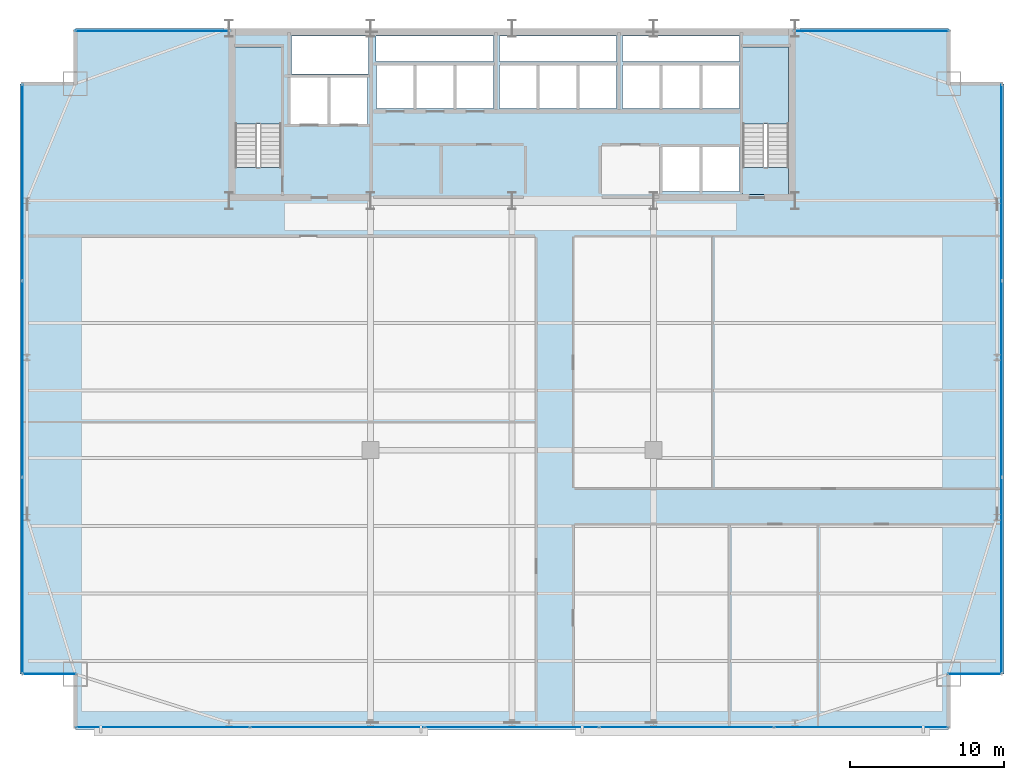
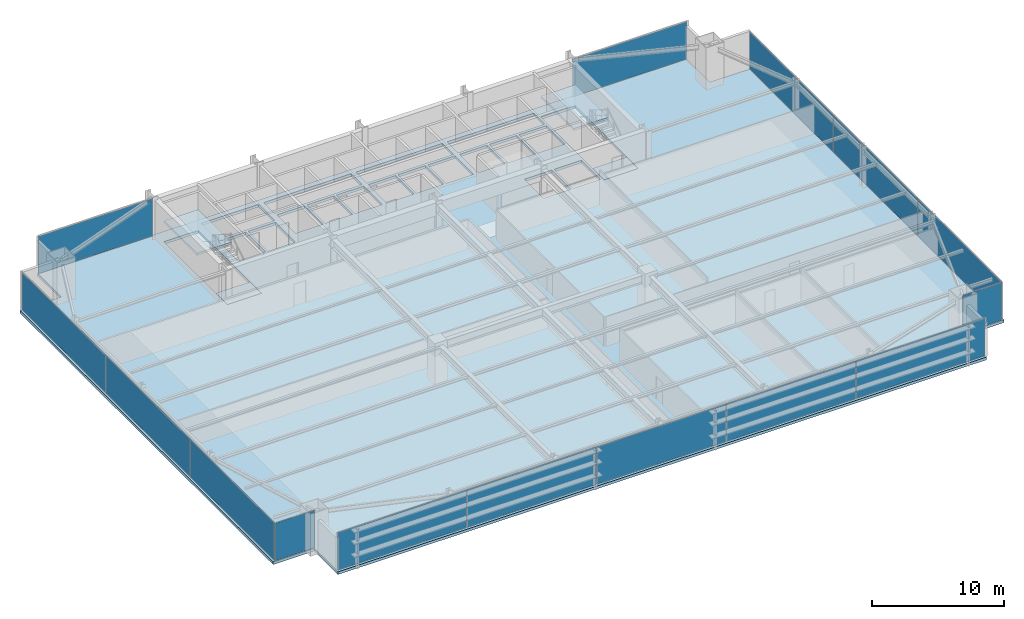
# One storey, part 25 of 32: 15 plates, 5 slabs, 9 elements without a shape of their own.
"""IFC4 building model written with IfcOpenShell, lengths in metres."""

from ifc_helpers import new_model, si_unit, direction, frame, origin, origin_2d, place, context, subcontext, project, spatial, polyline, rectangle, outline, extrude, source, transform, mapped, material, layer, layer_set, type_object, type_shapes, element, aggregate, save


model = new_model("IFC4")

# Units and contexts
model_context = context("Model", 3, precision=1e-05, world=origin(), true_north=direction((0.0, 1.0)))
body_context = subcontext(model_context, "Body", "Model", "MODEL_VIEW")
ifc_project = project(units=[si_unit("LENGTHUNIT", "METRE"), si_unit("AREAUNIT", "SQUARE_METRE"), si_unit("VOLUMEUNIT", "CUBIC_METRE"), si_unit("PLANEANGLEUNIT", "RADIAN"), si_unit("MASSUNIT", "GRAM", prefix="KILO")], contexts=[model_context])

# Site, building, storey
site_placement = place(None, origin())
site = spatial("IfcSite", under=ifc_project, at=site_placement, CompositionType="ELEMENT")
building_placement = place(site_placement, origin())
building = spatial("IfcBuilding", under=site, at=building_placement, Name="Varnel Quay Broadcast Tower", CompositionType="ELEMENT")
storey_placement = place(building_placement, frame((0.0, 0.0, 78.300048828125)))
storey = spatial("IfcBuildingStorey", under=building, at=storey_placement, Name="L18", CompositionType="ELEMENT", Elevation=78.300048828125)

# Slabs
ifc_material_1 = material(Name="Concrete CSA A23.3 C50/60", Category="concrete")
ifc_layer_1 = layer(ifc_material_1, 0.25, Name="Concrete CSA A23.3 C50/60")
ifc_layer_set_1 = layer_set([ifc_layer_1], Name="Concrete CSA A23.3 C50/60")
slab_type_1 = type_object("IfcSlabType", Name="Slab_Floor250", PredefinedType="FLOOR", material=ifc_layer_set_1)
slab_1_placement = place(storey_placement, frame((0.0, 0.0, -0.25)))
element("IfcSlab", 1, at=slab_1_placement, inside=storey, type_object=slab_type_1, Name="L18 Structural Slab", PredefinedType="FLOOR", context=body_context, shape_type="SweptSolid", body=[
    extrude(outline(polyline([(5.60009765625, 1.199951171875), (62.39990234375, 1.199951171875), (62.39990234375, 4.800048828125), (66.0, 4.800048828125), (66.0, 43.199951171875), (62.39990234375, 43.199951171875), (62.39990234375, 46.800048828125), (5.60009765625, 46.800048828125), (5.60009765625, 43.199951171875), (2.0, 43.199951171875), (2.0, 4.800048828125), (5.60009765625, 4.800048828125), (5.60009765625, 1.199951171875)]), holes=[polyline([(16.0, 36.0), (16.0, 45.60009765625), (19.0, 45.60009765625), (19.0, 36.0), (16.0, 36.0)]), polyline([(19.60009765625, 43.60009765625), (22.0, 43.60009765625), (22.0, 40.60009765625), (19.60009765625, 40.60009765625), (19.60009765625, 43.60009765625)]), polyline([(22.199951171875, 43.60009765625), (24.60009765625, 43.60009765625), (24.60009765625, 40.60009765625), (22.199951171875, 40.60009765625), (22.199951171875, 43.60009765625)]), polyline([(25.199951171875, 44.39990234375), (27.60009765625, 44.39990234375), (27.60009765625, 41.60009765625), (25.199951171875, 41.60009765625), (25.199951171875, 44.39990234375)]), polyline([(27.800048828125, 44.39990234375), (30.199951171875, 44.39990234375), (30.199951171875, 41.60009765625), (27.800048828125, 41.60009765625), (27.800048828125, 44.39990234375)]), polyline([(30.39990234375, 44.39990234375), (32.800048828125, 44.39990234375), (32.800048828125, 41.60009765625), (30.39990234375, 41.60009765625), (30.39990234375, 44.39990234375)]), polyline([(33.199951171875, 44.39990234375), (35.60009765625, 44.39990234375), (35.60009765625, 41.60009765625), (33.199951171875, 41.60009765625), (33.199951171875, 44.39990234375)]), polyline([(38.199951171875, 44.39990234375), (38.199951171875, 41.60009765625), (35.800048828125, 41.60009765625), (35.800048828125, 44.39990234375), (38.199951171875, 44.39990234375)]), polyline([(24.679931640625, 46.300048828125), (24.679931640625, 43.85009765625), (19.64990234375, 43.85009765625), (19.64990234375, 46.300048828125), (24.679931640625, 46.300048828125)]), polyline([(25.14990234375, 46.300048828125), (32.800048828125, 46.300048828125), (32.800048828125, 44.64990234375), (25.14990234375, 44.64990234375), (25.14990234375, 46.300048828125)]), polyline([(43.800048828125, 39.10009765625), (46.199951171875, 39.10009765625), (46.199951171875, 36.199951171875), (43.800048828125, 36.199951171875), (43.800048828125, 39.10009765625)]), polyline([(46.39990234375, 39.10009765625), (48.800048828125, 39.10009765625), (48.800048828125, 36.199951171875), (46.39990234375, 36.199951171875), (46.39990234375, 39.10009765625)]), polyline([(49.0, 45.60009765625), (52.0, 45.60009765625), (52.0, 36.0), (49.0, 36.0), (49.0, 45.60009765625)]), polyline([(40.800048828125, 44.39990234375), (40.800048828125, 41.60009765625), (38.39990234375, 41.60009765625), (38.39990234375, 44.39990234375), (40.800048828125, 44.39990234375)]), polyline([(41.199951171875, 44.39990234375), (43.60009765625, 44.39990234375), (43.60009765625, 41.60009765625), (41.199951171875, 41.60009765625), (41.199951171875, 44.39990234375)]), polyline([(43.800048828125, 44.39990234375), (46.199951171875, 44.39990234375), (46.199951171875, 41.60009765625), (43.800048828125, 41.60009765625), (43.800048828125, 44.39990234375)]), polyline([(46.39990234375, 44.39990234375), (48.800048828125, 44.39990234375), (48.800048828125, 41.60009765625), (46.39990234375, 41.60009765625), (46.39990234375, 44.39990234375)]), polyline([(40.800048828125, 46.300048828125), (40.800048828125, 44.64990234375), (33.199951171875, 44.64990234375), (33.199951171875, 46.300048828125), (40.800048828125, 46.300048828125)]), polyline([(48.800048828125, 46.300048828125), (48.800048828125, 44.64990234375), (41.199951171875, 44.64990234375), (41.199951171875, 46.300048828125), (48.800048828125, 46.300048828125)])]), origin(), (0.0, 0.0, 1.0), 0.25),
])
ifc_layer_2 = layer(ifc_material_1, 0.25, Name="Concrete CSA A23.3 C50/60")
ifc_layer_set_2 = layer_set([ifc_layer_2], Name="Concrete CSA A23.3 C50/60")
slab_type_2 = type_object("IfcSlabType", Name="Slab_StairFloorLanding250", PredefinedType="FLOOR", material=ifc_layer_set_2)
slab_2_placement = place(storey_placement, frame((0.0, 0.0, -0.25)))
element("IfcSlab", 2, at=slab_2_placement, inside=storey, type_object=slab_type_2, Name="L18 ST-01 Structural Floor Landing Slab", PredefinedType="FLOOR", context=body_context, shape_type="SweptSolid", body=[
    extrude(outline(polyline([(19.0, 36.0), (19.0, 37.75), (16.0, 37.75), (16.0, 36.0), (19.0, 36.0)])), origin(), (0.0, 0.0, 1.0), 0.25),
])
slab_3_placement = place(storey_placement, frame((0.0, 0.0, -0.25)))
element("IfcSlab", 3, at=slab_3_placement, inside=storey, type_object=slab_type_2, Name="L18 ST-02 Structural Floor Landing Slab", PredefinedType="FLOOR", context=body_context, shape_type="SweptSolid", body=[
    extrude(outline(polyline([(52.0, 36.0), (52.0, 37.75), (49.0, 37.75), (49.0, 36.0), (52.0, 36.0)])), origin(), (0.0, 0.0, 1.0), 0.25),
])

# Stair, slab
ifc_material_2 = material(Name="Precast Structural Concrete C40/50", Category="concrete")
stair_type_1 = type_object("IfcStairType", Name="Stair_ST-01", PredefinedType="HALF_TURN_STAIR", material=ifc_material_2)
stair_1_placement = place(storey_placement, origin())
stair_1 = element("IfcStair", 4, at=stair_1_placement, inside=storey, type_object=stair_type_1, Name="L18 West Core Exit Stair 1", PredefinedType="HALF_TURN_STAIR")
ifc_layer_3 = layer(ifc_material_2, 0.199951171875, Name="Precast Structural Concrete C40/50")
ifc_layer_set_3 = layer_set([ifc_layer_3], Name="Precast Structural Concrete C40/50")
slab_type_3 = type_object("IfcSlabType", Name="Slab_StairLanding200", PredefinedType="LANDING", material=ifc_layer_set_3)
slab_4_placement = place(storey_placement, frame((0.0, 0.0, 1.75)))
slab_4 = element("IfcSlab", 5, at=slab_4_placement, type_object=slab_type_3, Name="ST-01 landing 1", PredefinedType="LANDING", context=body_context, shape_type="SweptSolid", body=[
    extrude(outline(polyline([(19.0, 40.60009765625), (19.0, 45.60009765625), (16.0, 45.60009765625), (16.0, 40.60009765625), (19.0, 40.60009765625)])), origin(), (0.0, 0.0, 1.0), 0.199951171875),
])
aggregate(stair_1, [slab_4])

stair_type_2 = type_object("IfcStairType", Name="Stair_ST-02", PredefinedType="HALF_TURN_STAIR", material=ifc_material_2)
stair_2_placement = place(storey_placement, origin())
stair_2 = element("IfcStair", 6, at=stair_2_placement, inside=storey, type_object=stair_type_2, Name="L18 East Core Exit Stair 2", PredefinedType="HALF_TURN_STAIR")
slab_5_placement = place(storey_placement, frame((0.0, 0.0, 1.75)))
slab_5 = element("IfcSlab", 7, at=slab_5_placement, type_object=slab_type_3, Name="ST-02 landing 1", PredefinedType="LANDING", context=body_context, shape_type="SweptSolid", body=[
    extrude(outline(polyline([(52.0, 40.60009765625), (52.0, 45.60009765625), (49.0, 45.60009765625), (49.0, 40.60009765625), (52.0, 40.60009765625)])), origin(), (0.0, 0.0, 1.0), 0.199951171875),
])
aggregate(stair_2, [slab_5])

# Curtain wall, plates
ifc_material_3 = material(Name="Anodised Bronze Aluminium 6063-T6", Category="aluminium")
ifc_layer_4 = layer(ifc_material_3, 0.18994140625, Name="Anodised Bronze Aluminium 6063-T6")
ifc_layer_set_4 = layer_set([ifc_layer_4], Name="Anodised Bronze Aluminium 6063-T6")
curtain_wall_type_1 = type_object("IfcCurtainWallType", Name="CW_LowerTower", PredefinedType="NOTDEFINED", material=ifc_layer_set_4)
curtain_wall_1_placement = place(storey_placement, origin())
curtain_wall_1 = element("IfcCurtainWall", 8, at=curtain_wall_1_placement, inside=storey, type_object=curtain_wall_type_1, Name="L18 South Unitised Curtain Wall 1", PredefinedType="NOTDEFINED")
ifc_material_4 = material(Name="Triple-Glazed Bronze Low-E Architectural Glass", Category="glass")
ifc_layer_5 = layer(ifc_material_4, 0.031982421875, Name="Triple-Glazed Bronze Low-E Architectural Glass")
ifc_layer_set_5 = layer_set([ifc_layer_5], Name="Triple-Glazed Bronze Low-E Architectural Glass")
plate_type_1 = type_object("IfcPlateType", Name="Panel_CWS-02", PredefinedType="CURTAIN_PANEL", material=ifc_layer_set_5)
shared_shape_1 = source(origin(), body_context, "Body", "SweptSolid", [
    extrude(rectangle(XDim=11.2548828125, YDim=0.031982421875, at=origin_2d()), origin(), (0.0, 0.0, 1.0), 3.4599609375),
])
plate_1_placement = place(storey_placement, frame((11.297607421875, 1.35009765625, 0.06005859375), z_axis=(0.0, 0.0, 1.0), x_axis=(1.0, 0.0, 0.0)))
plate_1 = element("IfcPlate", 9, at=plate_1_placement, type_object=plate_type_1, Name="CWS-02 panel 1.1", PredefinedType="CURTAIN_PANEL", context=body_context, shape_type="MappedRepresentation", body=[
    mapped(shared_shape_1, transform((0.0, 0.0, 0.0), x_axis=(1.0, 0.0, 0.0), y_axis=(0.0, 1.0, 0.0), z_axis=(0.0, 0.0, 1.0), scale=1.0)),
])
plate_2_placement = place(storey_placement, frame((56.702392578125, 1.35009765625, 0.06005859375), z_axis=(0.0, 0.0, 1.0), x_axis=(1.0, 0.0, 0.0)))
plate_2 = element("IfcPlate", 10, at=plate_2_placement, type_object=plate_type_1, Name="CWS-02 panel 5.1", PredefinedType="CURTAIN_PANEL", context=body_context, shape_type="MappedRepresentation", body=[
    mapped(shared_shape_1, transform((0.0, 0.0, 0.0), x_axis=(1.0, 0.0, 0.0), y_axis=(0.0, 1.0, 0.0), z_axis=(0.0, 0.0, 1.0), scale=1.0)),
])
ifc_material_5 = material(Name="Insulated Bronze Spandrel Glass", Category="glass")
ifc_layer_6 = layer(ifc_material_5, 0.031982421875, Name="Insulated Bronze Spandrel Glass")
ifc_layer_set_6 = layer_set([ifc_layer_6], Name="Insulated Bronze Spandrel Glass")
plate_type_2 = type_object("IfcPlateType", Name="PanelSp_CWS-02", PredefinedType="CURTAIN_PANEL", material=ifc_layer_set_6)
shared_shape_2 = source(origin(), body_context, "Body", "SweptSolid", [
    extrude(rectangle(XDim=11.2900390625, YDim=0.031982421875, at=origin_2d()), origin(), (0.0, 0.0, 1.0), 3.4599609375),
])
plate_3_placement = place(storey_placement, frame((22.639892578125, 1.35009765625, 0.06005859375), z_axis=(0.0, 0.0, 1.0), x_axis=(1.0, 0.0, 0.0)))
plate_3 = element("IfcPlate", 11, at=plate_3_placement, type_object=plate_type_2, Name="CWS-02 panel 2.1", PredefinedType="CURTAIN_PANEL", context=body_context, shape_type="MappedRepresentation", body=[
    mapped(shared_shape_2, transform((0.0, 0.0, 0.0), x_axis=(1.0, 0.0, 0.0), y_axis=(0.0, 1.0, 0.0), z_axis=(0.0, 0.0, 1.0), scale=1.0)),
])
plate_4_placement = place(storey_placement, frame((34.0, 1.35009765625, 0.06005859375), z_axis=(0.0, 0.0, 1.0), x_axis=(1.0, 0.0, 0.0)))
plate_4 = element("IfcPlate", 12, at=plate_4_placement, type_object=plate_type_2, Name="CWS-02 panel 3.1", PredefinedType="CURTAIN_PANEL", context=body_context, shape_type="MappedRepresentation", body=[
    mapped(shared_shape_2, transform((0.0, 0.0, 0.0), x_axis=(1.0, 0.0, 0.0), y_axis=(0.0, 1.0, 0.0), z_axis=(0.0, 0.0, 1.0), scale=1.0)),
])
plate_5_placement = place(storey_placement, frame((45.360107421875, 1.35009765625, 0.06005859375), z_axis=(0.0, 0.0, 1.0), x_axis=(1.0, 0.0, 0.0)))
plate_5 = element("IfcPlate", 13, at=plate_5_placement, type_object=plate_type_2, Name="CWS-02 panel 4.1", PredefinedType="CURTAIN_PANEL", context=body_context, shape_type="MappedRepresentation", body=[
    mapped(shared_shape_2, transform((0.0, 0.0, 0.0), x_axis=(1.0, 0.0, 0.0), y_axis=(0.0, 1.0, 0.0), z_axis=(0.0, 0.0, 1.0), scale=1.0)),
])
aggregate(curtain_wall_1, [plate_1, plate_3, plate_4, plate_5, plate_2])

curtain_wall_2_placement = place(storey_placement, origin())
curtain_wall_2 = element("IfcCurtainWall", 14, at=curtain_wall_2_placement, inside=storey, type_object=curtain_wall_type_1, Name="L18 West Unitised Curtain Wall", PredefinedType="NOTDEFINED")
shared_shape_3 = source(origin(), body_context, "Body", "SweptSolid", [
    extrude(rectangle(XDim=12.695068359375, YDim=0.031982421875, at=origin_2d()), origin(), (0.0, 0.0, 1.0), 3.4599609375),
])
plate_6_placement = place(storey_placement, frame((2.14990234375, 11.217529296875, 0.06005859375), z_axis=(0.0, 0.0, 1.0), x_axis=(0.0, 1.0, 0.0)))
plate_6 = element("IfcPlate", 15, at=plate_6_placement, type_object=plate_type_2, Name="CWS-02 panel 1.1", PredefinedType="CURTAIN_PANEL", context=body_context, shape_type="MappedRepresentation", body=[
    mapped(shared_shape_3, transform((0.0, 0.0, 0.0), x_axis=(1.0, 0.0, 0.0), y_axis=(0.0, 1.0, 0.0), z_axis=(0.0, 0.0, 1.0), scale=1.0)),
])
plate_7_placement = place(storey_placement, frame((2.14990234375, 36.782470703125, 0.06005859375), z_axis=(0.0, 0.0, 1.0), x_axis=(0.0, 1.0, 0.0)))
plate_7 = element("IfcPlate", 16, at=plate_7_placement, type_object=plate_type_2, Name="CWS-02 panel 3.1", PredefinedType="CURTAIN_PANEL", context=body_context, shape_type="MappedRepresentation", body=[
    mapped(shared_shape_3, transform((0.0, 0.0, 0.0), x_axis=(1.0, 0.0, 0.0), y_axis=(0.0, 1.0, 0.0), z_axis=(0.0, 0.0, 1.0), scale=1.0)),
])

curtain_wall_3_placement = place(storey_placement, origin())
curtain_wall_3 = element("IfcCurtainWall", 17, at=curtain_wall_3_placement, inside=storey, type_object=curtain_wall_type_1, Name="L18 East Unitised Curtain Wall", PredefinedType="NOTDEFINED")
plate_8_placement = place(storey_placement, frame((65.85009765625, 11.217529296875, 0.06005859375), z_axis=(0.0, 0.0, 1.0), x_axis=(0.0, 1.0, 0.0)))
plate_8 = element("IfcPlate", 18, at=plate_8_placement, type_object=plate_type_2, Name="CWS-02 panel 1.1", PredefinedType="CURTAIN_PANEL", context=body_context, shape_type="MappedRepresentation", body=[
    mapped(shared_shape_3, transform((0.0, 0.0, 0.0), x_axis=(1.0, 0.0, 0.0), y_axis=(0.0, 1.0, 0.0), z_axis=(0.0, 0.0, 1.0), scale=1.0)),
])
plate_9_placement = place(storey_placement, frame((65.85009765625, 36.782470703125, 0.06005859375), z_axis=(0.0, 0.0, 1.0), x_axis=(0.0, 1.0, 0.0)))
plate_9 = element("IfcPlate", 19, at=plate_9_placement, type_object=plate_type_2, Name="CWS-02 panel 3.1", PredefinedType="CURTAIN_PANEL", context=body_context, shape_type="MappedRepresentation", body=[
    mapped(shared_shape_3, transform((0.0, 0.0, 0.0), x_axis=(1.0, 0.0, 0.0), y_axis=(0.0, 1.0, 0.0), z_axis=(0.0, 0.0, 1.0), scale=1.0)),
])

# Plate
shared_shape_4 = source(origin(), body_context, "Body", "SweptSolid", [
    extrude(rectangle(XDim=12.72998046875, YDim=0.031982421875, at=origin_2d()), origin(), (0.0, 0.0, 1.0), 3.4599609375),
])
type_shapes(plate_type_2, [shared_shape_2, shared_shape_3, shared_shape_4])
plate_10_placement = place(storey_placement, frame((2.14990234375, 24.0, 0.06005859375), z_axis=(0.0, 0.0, 1.0), x_axis=(0.0, 1.0, 0.0)))
plate_10 = element("IfcPlate", 20, at=plate_10_placement, type_object=plate_type_2, Name="CWS-02 panel 2.1", PredefinedType="CURTAIN_PANEL", context=body_context, shape_type="MappedRepresentation", body=[
    mapped(shared_shape_4, transform((0.0, 0.0, 0.0), x_axis=(1.0, 0.0, 0.0), y_axis=(0.0, 1.0, 0.0), z_axis=(0.0, 0.0, 1.0), scale=1.0)),
])

aggregate(curtain_wall_2, [plate_6, plate_10, plate_7])

plate_11_placement = place(storey_placement, frame((65.85009765625, 24.0, 0.06005859375), z_axis=(0.0, 0.0, 1.0), x_axis=(0.0, 1.0, 0.0)))
plate_11 = element("IfcPlate", 21, at=plate_11_placement, type_object=plate_type_2, Name="CWS-02 panel 2.1", PredefinedType="CURTAIN_PANEL", context=body_context, shape_type="MappedRepresentation", body=[
    mapped(shared_shape_4, transform((0.0, 0.0, 0.0), x_axis=(1.0, 0.0, 0.0), y_axis=(0.0, 1.0, 0.0), z_axis=(0.0, 0.0, 1.0), scale=1.0)),
])

aggregate(curtain_wall_3, [plate_8, plate_11, plate_9])

# Curtain wall, plate
ifc_layer_7 = layer(ifc_material_3, 0.18994140625, Name="Anodised Bronze Aluminium 6063-T6")
ifc_layer_set_7 = layer_set([ifc_layer_7], Name="Anodised Bronze Aluminium 6063-T6")
curtain_wall_type_2 = type_object("IfcCurtainWallType", Name="CW_NotchCorner", PredefinedType="NOTDEFINED", material=ifc_layer_set_7)
curtain_wall_4_placement = place(storey_placement, origin())
curtain_wall_4 = element("IfcCurtainWall", 22, at=curtain_wall_4_placement, inside=storey, type_object=curtain_wall_type_2, Name="L18 SW Notch Curtain Wall", PredefinedType="NOTDEFINED")
ifc_layer_8 = layer(ifc_material_4, 0.028076171875, Name="Triple-Glazed Bronze Low-E Architectural Glass")
ifc_layer_set_8 = layer_set([ifc_layer_8], Name="Triple-Glazed Bronze Low-E Architectural Glass")
plate_type_3 = type_object("IfcPlateType", Name="Panel_CWS-04", PredefinedType="CURTAIN_PANEL", material=ifc_layer_set_8)
shared_shape_5 = source(origin(), body_context, "Body", "SweptSolid", [
    extrude(rectangle(XDim=3.409912109375, YDim=0.028076171875, at=origin_2d()), origin(), (0.0, 0.0, 1.0), 3.469970703125),
])
type_shapes(plate_type_3, [shared_shape_5])
plate_12_placement = place(storey_placement, frame((3.9150390625, 4.800048828125, 0.05517578125), z_axis=(0.0, 0.0, 1.0), x_axis=(1.0, 0.0, 0.0)))
plate_12 = element("IfcPlate", 23, at=plate_12_placement, type_object=plate_type_3, Name="CWS-04 panel 1.1", PredefinedType="CURTAIN_PANEL", context=body_context, shape_type="MappedRepresentation", body=[
    mapped(shared_shape_5, transform((0.0, 0.0, 0.0), x_axis=(1.0, 0.0, 0.0), y_axis=(0.0, 1.0, 0.0), z_axis=(0.0, 0.0, 1.0), scale=1.0)),
])
aggregate(curtain_wall_4, [plate_12])

curtain_wall_5_placement = place(storey_placement, origin())
curtain_wall_5 = element("IfcCurtainWall", 24, at=curtain_wall_5_placement, inside=storey, type_object=curtain_wall_type_2, Name="L18 SE Notch Curtain Wall", PredefinedType="NOTDEFINED")
plate_13_placement = place(storey_placement, frame((64.0849609375, 4.800048828125, 0.05517578125), z_axis=(0.0, 0.0, 1.0), x_axis=(1.0, 0.0, 0.0)))
plate_13 = element("IfcPlate", 25, at=plate_13_placement, type_object=plate_type_3, Name="CWS-04 panel 1.1", PredefinedType="CURTAIN_PANEL", context=body_context, shape_type="MappedRepresentation", body=[
    mapped(shared_shape_5, transform((0.0, 0.0, 0.0), x_axis=(1.0, 0.0, 0.0), y_axis=(0.0, 1.0, 0.0), z_axis=(0.0, 0.0, 1.0), scale=1.0)),
])
aggregate(curtain_wall_5, [plate_13])

curtain_wall_6_placement = place(storey_placement, origin())
curtain_wall_6 = element("IfcCurtainWall", 26, at=curtain_wall_6_placement, inside=storey, type_object=curtain_wall_type_1, Name="L18 NW Wing Curtain Wall", PredefinedType="NOTDEFINED")
shared_shape_6 = source(origin(), body_context, "Body", "SweptSolid", [
    extrude(rectangle(XDim=10.0400390625, YDim=0.031982421875, at=origin_2d()), origin(), (0.0, 0.0, 1.0), 3.4599609375),
])
type_shapes(plate_type_1, [shared_shape_1, shared_shape_6])
plate_14_placement = place(storey_placement, frame((10.610107421875, 46.64990234375, 0.06005859375), z_axis=(0.0, 0.0, 1.0), x_axis=(1.0, 0.0, 0.0)))
plate_14 = element("IfcPlate", 27, at=plate_14_placement, type_object=plate_type_1, Name="CWS-02 panel 1.1", PredefinedType="CURTAIN_PANEL", context=body_context, shape_type="MappedRepresentation", body=[
    mapped(shared_shape_6, transform((0.0, 0.0, 0.0), x_axis=(1.0, 0.0, 0.0), y_axis=(0.0, 1.0, 0.0), z_axis=(0.0, 0.0, 1.0), scale=1.0)),
])
aggregate(curtain_wall_6, [plate_14])

curtain_wall_7_placement = place(storey_placement, origin())
curtain_wall_7 = element("IfcCurtainWall", 28, at=curtain_wall_7_placement, inside=storey, type_object=curtain_wall_type_1, Name="L18 NE Wing Curtain Wall", PredefinedType="NOTDEFINED")
plate_15_placement = place(storey_placement, frame((57.389892578125, 46.64990234375, 0.06005859375), z_axis=(0.0, 0.0, 1.0), x_axis=(1.0, 0.0, 0.0)))
plate_15 = element("IfcPlate", 29, at=plate_15_placement, type_object=plate_type_1, Name="CWS-02 panel 1.1", PredefinedType="CURTAIN_PANEL", context=body_context, shape_type="MappedRepresentation", body=[
    mapped(shared_shape_6, transform((0.0, 0.0, 0.0), x_axis=(1.0, 0.0, 0.0), y_axis=(0.0, 1.0, 0.0), z_axis=(0.0, 0.0, 1.0), scale=1.0)),
])
aggregate(curtain_wall_7, [plate_15])

save(model, "model.ifc")
